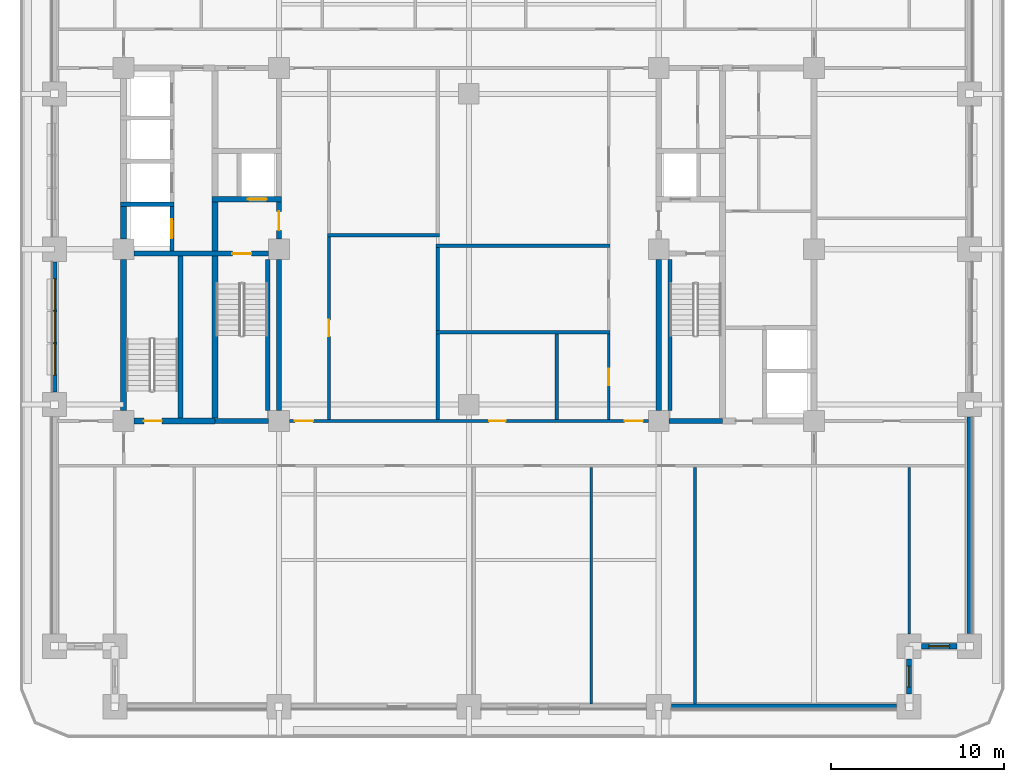
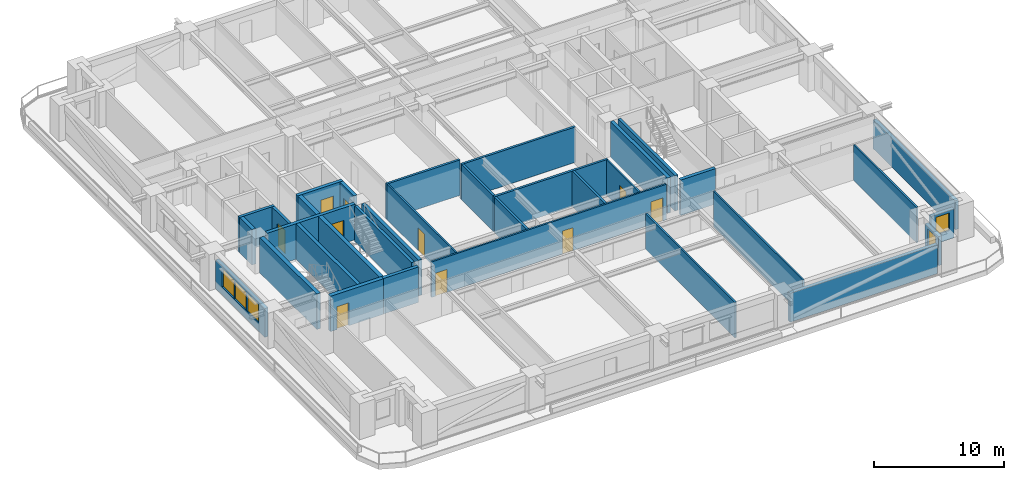
# One storey, part 3 of 15: 34 walls, 10 doors, 5 windows, 15 openings.
"""IFC4 building model written with IfcOpenShell, lengths in metres."""

from ifc_helpers import new_model, si_unit, direction, frame, frame_2d, origin, place, context, subcontext, project, spatial, rectangle, extrude, material, layer, layer_set, type_object, element, fill, save


model = new_model("IFC4")

# Units and contexts
model_context = context("Model", 3, precision=1e-05, world=origin(), true_north=direction((0.0, 1.0)))
body_context = subcontext(model_context, "Body", "Model", "MODEL_VIEW")
ifc_project = project(units=[si_unit("LENGTHUNIT", "METRE"), si_unit("AREAUNIT", "SQUARE_METRE"), si_unit("VOLUMEUNIT", "CUBIC_METRE"), si_unit("PLANEANGLEUNIT", "RADIAN"), si_unit("MASSUNIT", "GRAM", prefix="KILO")], contexts=[model_context])

# Site, building, storey
site_placement = place(None, origin())
site = spatial("IfcSite", under=ifc_project, at=site_placement, CompositionType="ELEMENT")
building_placement = place(site_placement, origin())
building = spatial("IfcBuilding", under=site, at=building_placement, Name="Zulmaris Gate Convention Tower", CompositionType="ELEMENT")
storey_placement = place(building_placement, frame((0.0, 0.0, 37.909912109375)))
storey = spatial("IfcBuildingStorey", under=building, at=storey_placement, Name="L08", CompositionType="ELEMENT", Elevation=37.909912109375)

# Wall
ifc_material_1 = material(Name="Concrete C50/60", Category="concrete")
ifc_layer_1 = layer(ifc_material_1, 0.25, Name="Concrete C50/60")
ifc_layer_set_1 = layer_set([ifc_layer_1], Name="Concrete C50/60")
wall_type_1 = type_object("IfcWallType", Name="CORE-250", PredefinedType="SOLIDWALL", material=ifc_layer_set_1)
wall_1_placement = place(storey_placement, frame((-20.175048828125, 2.60009765625, 0.0), z_axis=(0.0, 0.0, 1.0), x_axis=(1.0, 0.0, 0.0)))
element("IfcWall", 1, at=wall_1_placement, inside=storey, type_object=wall_type_1, Name="WL-L08-009", PredefinedType="SOLIDWALL", context=body_context, shape_type="SweptSolid", body=[
    extrude(rectangle(XDim=3.10009765625, YDim=0.25, at=frame_2d((1.550048828125, 0.0))), origin(), (0.0, 0.0, 1.0), 3.320068359375),
])

# Wall, opening, door
wall_2_placement = place(storey_placement, frame((-17.199951171875, -0.097900390625, 0.0), z_axis=(0.0, 0.0, 1.0), x_axis=(0.0, 1.0, 0.0)))
wall_2 = element("IfcWall", 2, at=wall_2_placement, inside=storey, type_object=wall_type_1, Name="WL-L08-040", PredefinedType="SOLIDWALL", context=body_context, shape_type="SweptSolid", body=[
    extrude(rectangle(XDim=2.57080078125, YDim=0.25, at=frame_2d((1.285400390625, 0.0))), origin(), (0.0, 0.0, 1.0), 3.320068359375),
])
opening_1_placement = place(wall_2_placement, frame((0.722900390625, 0.0, 0.0)))
opening_1 = element("IfcOpeningElement", 3, at=opening_1_placement, cuts=wall_2, Name="Opening D-06", PredefinedType="OPENING", context=body_context, shape_type="SweptSolid", body=[
    extrude(rectangle(XDim=1.10009765625, YDim=2.199951171875, at=frame_2d((0.550048828125, 1.10009765625))), frame((0.0, 0.135009765625, 0.0), z_axis=(0.0, -1.0, 0.0), x_axis=(1.0, 0.0, 0.0)), (0.0, 0.0, 1.0), 0.27001953125),
])
ifc_material_2 = material(Name="Brushed Stainless Steel", Category="steel")
door_type_1 = type_object("IfcDoorType", Name="LD-1100", OperationType="NOTDEFINED", PredefinedType="DOOR", material=ifc_material_2)
door_1_placement = place(opening_1_placement, origin())
door_1 = element("IfcDoor", 4, at=door_1_placement, inside=storey, type_object=door_type_1, Name="L08 Lift Landing Door LP-01 12", OperationType="SLIDING_TO_LEFT", OverallHeight=2.199951171875, OverallWidth=1.10009765625, PredefinedType="DOOR", context=body_context, shape_type="SweptSolid", body=[
    extrude(rectangle(XDim=1.10009765625, YDim=2.199951171875, at=frame_2d((0.550048828125, 1.10009765625))), frame((0.0, 0.02490234375, 0.0), z_axis=(0.0, -1.0, 0.0), x_axis=(1.0, 0.0, 0.0)), (0.0, 0.0, 1.0), 0.050048828125),
])
fill(opening_1, door_1)

# Walls
for number, where, z_axis, x_axis, name in (
    (5, (-11.64990234375, -9.345947265625, 0.0), (0.0, 0.0, 1.0), (0.0, 1.0, 0.0), "WL-L08-050"),
    (6, (11.64990234375, -9.345947265625, 0.0), (0.0, 0.0, 1.0), (0.0, 1.0, 0.0), "WL-L08-059"),
):
    element("IfcWall", number, at=place(storey_placement, frame(where, z_axis=z_axis, x_axis=x_axis)), inside=storey, type_object=wall_type_1, Name=name, PredefinedType="SOLIDWALL", context=body_context, shape_type="SweptSolid", body=[
        extrude(rectangle(XDim=8.741943359375, YDim=0.25, at=frame_2d((4.37109375, 0.0))), origin(), (0.0, 0.0, 1.0), 3.320068359375),
    ])
ifc_layer_2 = layer(ifc_material_1, 0.300048828125, Name="Concrete C50/60")
ifc_layer_set_2 = layer_set([ifc_layer_2], Name="Concrete C50/60")
wall_type_2 = type_object("IfcWallType", Name="CORE-300", PredefinedType="SHEAR", material=ifc_layer_set_2)
for number, where, z_axis, x_axis, name in (
    (7, (-14.699951171875, -9.949951171875, 0.0), (0.0, 0.0, 1.0), (1.0, 0.0, 0.0), "WL-L08-002"),
    (8, (11.60400390625, -9.949951171875, 0.0), (0.0, 0.0, 1.0), (1.0, 0.0, 0.0), "WL-L08-003"),
):
    element("IfcWall", number, at=place(storey_placement, frame(where, z_axis=z_axis, x_axis=x_axis)), inside=storey, type_object=wall_type_2, Name=name, PredefinedType="SHEAR", context=body_context, shape_type="SweptSolid", body=[
        extrude(rectangle(XDim=3.095947265625, YDim=0.300048828125, at=frame_2d((1.5478515625, 0.0))), origin(), (0.0, 0.0, 1.0), 3.320068359375),
    ])

# Wall, opening, door
wall_3_placement = place(storey_placement, frame((-19.39599609375, -0.25, 0.0), z_axis=(0.0, 0.0, 1.0), x_axis=(1.0, 0.0, 0.0)))
wall_3 = element("IfcWall", 9, at=wall_3_placement, inside=storey, type_object=wall_type_2, Name="WL-L08-007", PredefinedType="SHEAR", context=body_context, shape_type="SweptSolid", body=[
    extrude(rectangle(XDim=7.7919921875, YDim=0.300048828125, at=frame_2d((3.89599609375, 0.0))), origin(), (0.0, 0.0, 1.0), 3.320068359375),
])
opening_2_placement = place(wall_3_placement, frame((5.696044921875, 0.0, 0.0)))
opening_2 = element("IfcOpeningElement", 10, at=opening_2_placement, cuts=wall_3, Name="Opening D-08", PredefinedType="OPENING", context=body_context, shape_type="SweptSolid", body=[
    extrude(rectangle(XDim=1.10009765625, YDim=2.14990234375, at=frame_2d((0.550048828125, 1.074951171875))), frame((0.0, 0.16015625, 0.0), z_axis=(0.0, -1.0, 0.0), x_axis=(1.0, 0.0, 0.0)), (0.0, 0.0, 1.0), 0.320068359375),
])
ifc_material_3 = material(Name="Fire-Rated Steel", Category="steel")
door_type_2 = type_object("IfcDoorType", Name="DR-1100-FD", OperationType="NOTDEFINED", PredefinedType="DOOR", material=ifc_material_3)
door_2_placement = place(opening_2_placement, origin())
door_2 = element("IfcDoor", 11, at=door_2_placement, inside=storey, type_object=door_type_2, Name="L08 Exit Stair ST-1 Door 01", OperationType="SINGLE_SWING_LEFT", OverallHeight=2.14990234375, OverallWidth=1.10009765625, PredefinedType="DOOR", context=body_context, shape_type="SweptSolid", body=[
    extrude(rectangle(XDim=1.10009765625, YDim=2.14990234375, at=frame_2d((0.550048828125, 1.074951171875))), frame((0.0, 0.02490234375, 0.0), z_axis=(0.0, -1.0, 0.0), x_axis=(1.0, 0.0, 0.0)), (0.0, 0.0, 1.0), 0.050048828125),
])
fill(opening_2, door_2)

wall_4_placement = place(storey_placement, frame((-14.875, 2.89990234375, 0.0), z_axis=(0.0, 0.0, 1.0), x_axis=(1.0, 0.0, 0.0)))
wall_4 = element("IfcWall", 12, at=wall_4_placement, inside=storey, type_object=wall_type_2, Name="WL-L08-010", PredefinedType="SHEAR", context=body_context, shape_type="SweptSolid", body=[
    extrude(rectangle(XDim=4.02490234375, YDim=0.300048828125, at=frame_2d((2.012451171875, 0.0))), origin(), (0.0, 0.0, 1.0), 3.320068359375),
])
opening_3_placement = place(wall_4_placement, frame((2.074951171875, 0.0, 0.0)))
opening_3 = element("IfcOpeningElement", 13, at=opening_3_placement, cuts=wall_4, Name="Opening D-06", PredefinedType="OPENING", context=body_context, shape_type="SweptSolid", body=[
    extrude(rectangle(XDim=1.10009765625, YDim=2.199951171875, at=frame_2d((0.550048828125, 1.10009765625))), frame((0.0, 0.16015625, 0.0), z_axis=(0.0, -1.0, 0.0), x_axis=(1.0, 0.0, 0.0)), (0.0, 0.0, 1.0), 0.320068359375),
])
door_3_placement = place(opening_3_placement, origin())
door_3 = element("IfcDoor", 14, at=door_3_placement, inside=storey, type_object=door_type_1, Name="L08 Lift Landing Door LF-01 03", OperationType="SLIDING_TO_LEFT", OverallHeight=2.199951171875, OverallWidth=1.10009765625, PredefinedType="DOOR", context=body_context, shape_type="SweptSolid", body=[
    extrude(rectangle(XDim=1.10009765625, YDim=2.199951171875, at=frame_2d((0.550048828125, 1.10009765625))), frame((0.0, 0.02490234375, 0.0), z_axis=(0.0, -1.0, 0.0), x_axis=(1.0, 0.0, 0.0)), (0.0, 0.0, 1.0), 0.050048828125),
])
fill(opening_3, door_3)

# Walls
wall_5_placement = place(storey_placement, frame((-16.699951171875, -9.77294921875, 0.0), z_axis=(0.0, 0.0, 1.0), x_axis=(0.0, 1.0, 0.0)))
element("IfcWall", 15, at=wall_5_placement, inside=storey, type_object=wall_type_2, Name="WL-L08-044", PredefinedType="SHEAR", context=body_context, shape_type="SweptSolid", body=[
    extrude(rectangle(XDim=9.370849609375, YDim=0.300048828125, at=frame_2d((4.685546875, 0.0))), origin(), (0.0, 0.0, 1.0), 3.320068359375),
])
wall_6_placement = place(storey_placement, frame((-11.0, -9.345947265625, 0.0), z_axis=(0.0, 0.0, 1.0), x_axis=(0.0, 1.0, 0.0)))
element("IfcWall", 16, at=wall_6_placement, inside=storey, type_object=wall_type_2, Name="WL-L08-051", PredefinedType="SHEAR", context=body_context, shape_type="SweptSolid", body=[
    extrude(rectangle(XDim=8.741943359375, YDim=0.300048828125, at=frame_2d((4.37109375, 0.0))), origin(), (0.0, 0.0, 1.0), 3.320068359375),
])

# Wall, opening, door
wall_7_placement = place(storey_placement, frame((-11.0, 0.60400390625, 0.0), z_axis=(0.0, 0.0, 1.0), x_axis=(0.0, 1.0, 0.0)))
wall_7 = element("IfcWall", 17, at=wall_7_placement, inside=storey, type_object=wall_type_2, Name="WL-L08-052", PredefinedType="SHEAR", context=body_context, shape_type="SweptSolid", body=[
    extrude(rectangle(XDim=2.14404296875, YDim=0.300048828125, at=frame_2d((1.072021484375, 0.0))), origin(), (0.0, 0.0, 1.0), 3.320068359375),
])
opening_4_placement = place(wall_7_placement, frame((0.49609375, 0.0, 0.0)))
opening_4 = element("IfcOpeningElement", 18, at=opening_4_placement, cuts=wall_7, Name="Opening D-08", PredefinedType="OPENING", context=body_context, shape_type="SweptSolid", body=[
    extrude(rectangle(XDim=1.10009765625, YDim=2.14990234375, at=frame_2d((0.550048828125, 1.074951171875))), frame((0.0, 0.16015625, 0.0), z_axis=(0.0, -1.0, 0.0), x_axis=(1.0, 0.0, 0.0)), (0.0, 0.0, 1.0), 0.320068359375),
])
door_4_placement = place(opening_4_placement, origin())
door_4 = element("IfcDoor", 19, at=door_4_placement, inside=storey, type_object=door_type_2, Name="L08 West Firefighting Lobby Door 02", OperationType="SINGLE_SWING_RIGHT", OverallHeight=2.14990234375, OverallWidth=1.10009765625, PredefinedType="DOOR", context=body_context, shape_type="SweptSolid", body=[
    extrude(rectangle(XDim=1.10009765625, YDim=2.14990234375, at=frame_2d((0.550048828125, 1.074951171875))), frame((0.0, 0.02490234375, 0.0), z_axis=(0.0, -1.0, 0.0), x_axis=(1.0, 0.0, 0.0)), (0.0, 0.0, 1.0), 0.050048828125),
])
fill(opening_4, door_4)

# Wall
wall_8_placement = place(storey_placement, frame((11.0, -9.345947265625, 0.0), z_axis=(0.0, 0.0, 1.0), x_axis=(0.0, 1.0, 0.0)))
element("IfcWall", 20, at=wall_8_placement, inside=storey, type_object=wall_type_2, Name="WL-L08-055", PredefinedType="SHEAR", context=body_context, shape_type="SweptSolid", body=[
    extrude(rectangle(XDim=8.741943359375, YDim=0.300048828125, at=frame_2d((4.37109375, 0.0))), origin(), (0.0, 0.0, 1.0), 3.320068359375),
])

# Wall, opening, door
ifc_material_4 = material(Name="Concrete C55/67", Category="concrete")
ifc_layer_3 = layer(ifc_material_4, 0.35009765625, Name="Concrete C55/67")
ifc_layer_set_3 = layer_set([ifc_layer_3], Name="Concrete C55/67")
wall_type_3 = type_object("IfcWallType", Name="CORE-350", PredefinedType="SHEAR", material=ifc_layer_set_3)
wall_9_placement = place(storey_placement, frame((-19.39599609375, -9.949951171875, 0.0), z_axis=(0.0, 0.0, 1.0), x_axis=(1.0, 0.0, 0.0)))
wall_9 = element("IfcWall", 21, at=wall_9_placement, inside=storey, type_object=wall_type_3, Name="WL-L08-001", PredefinedType="SHEAR", context=body_context, shape_type="SweptSolid", body=[
    extrude(rectangle(XDim=4.696044921875, YDim=0.35009765625, at=frame_2d((2.34814453125, 0.0))), origin(), (0.0, 0.0, 1.0), 3.320068359375),
])
opening_5_placement = place(wall_9_placement, frame((0.571044921875, 0.0, 0.0)))
opening_5 = element("IfcOpeningElement", 22, at=opening_5_placement, cuts=wall_9, Name="Opening D-09", PredefinedType="OPENING", context=body_context, shape_type="SweptSolid", body=[
    extrude(rectangle(XDim=1.050048828125, YDim=2.14990234375, at=frame_2d((0.52490234375, 1.074951171875))), frame((0.0, 0.18505859375, 0.0), z_axis=(0.0, -1.0, 0.0), x_axis=(1.0, 0.0, 0.0)), (0.0, 0.0, 1.0), 0.3701171875),
])
door_type_3 = type_object("IfcDoorType", Name="DR-1050-FD", OperationType="NOTDEFINED", PredefinedType="DOOR", material=ifc_material_3)
door_5_placement = place(opening_5_placement, origin())
door_5 = element("IfcDoor", 23, at=door_5_placement, inside=storey, type_object=door_type_3, Name="L08 Exit Stair ST-3 Door 10", OperationType="SINGLE_SWING_RIGHT", OverallHeight=2.14990234375, OverallWidth=1.050048828125, PredefinedType="DOOR", context=body_context, shape_type="SweptSolid", body=[
    extrude(rectangle(XDim=1.050048828125, YDim=2.14990234375, at=frame_2d((0.52490234375, 1.074951171875))), frame((0.0, 0.02490234375, 0.0), z_axis=(0.0, -1.0, 0.0), x_axis=(1.0, 0.0, 0.0)), (0.0, 0.0, 1.0), 0.050048828125),
])
fill(opening_5, door_5)

# Walls
wall_10_placement = place(storey_placement, frame((-20.0, -9.345947265625, 0.0), z_axis=(0.0, 0.0, 1.0), x_axis=(0.0, 1.0, 0.0)))
element("IfcWall", 24, at=wall_10_placement, inside=storey, type_object=wall_type_3, Name="WL-L08-035", PredefinedType="SHEAR", context=body_context, shape_type="SweptSolid", body=[
    extrude(rectangle(XDim=8.741943359375, YDim=0.35009765625, at=frame_2d((4.37109375, 0.0))), origin(), (0.0, 0.0, 1.0), 3.320068359375),
])
wall_11_placement = place(storey_placement, frame((-20.0, 0.60400390625, 0.0), z_axis=(0.0, 0.0, 1.0), x_axis=(0.0, 1.0, 0.0)))
element("IfcWall", 25, at=wall_11_placement, inside=storey, type_object=wall_type_3, Name="WL-L08-036", PredefinedType="SHEAR", context=body_context, shape_type="SweptSolid", body=[
    extrude(rectangle(XDim=1.868896484375, YDim=0.35009765625, at=frame_2d((0.9345703125, 0.0))), origin(), (0.0, 0.0, 1.0), 3.320068359375),
])
wall_12_placement = place(storey_placement, frame((-14.699951171875, -9.77294921875, 0.0), z_axis=(0.0, 0.0, 1.0), x_axis=(0.0, 1.0, 0.0)))
element("IfcWall", 26, at=wall_12_placement, inside=storey, type_object=wall_type_3, Name="WL-L08-045", PredefinedType="SHEAR", context=body_context, shape_type="SweptSolid", body=[
    extrude(rectangle(XDim=9.370849609375, YDim=0.35009765625, at=frame_2d((4.685546875, 0.0))), origin(), (0.0, 0.0, 1.0), 3.320068359375),
])
wall_13_placement = place(storey_placement, frame((-14.699951171875, -0.097900390625, 0.0), z_axis=(0.0, 0.0, 1.0), x_axis=(0.0, 1.0, 0.0)))
element("IfcWall", 27, at=wall_13_placement, inside=storey, type_object=wall_type_3, Name="WL-L08-046", PredefinedType="SHEAR", context=body_context, shape_type="SweptSolid", body=[
    extrude(rectangle(XDim=2.845947265625, YDim=0.35009765625, at=frame_2d((1.4228515625, 0.0))), origin(), (0.0, 0.0, 1.0), 3.320068359375),
])

# Wall, openings, doors
ifc_material_5 = material(Name="Gypsum Metal Stud Partition")
ifc_layer_4 = layer(ifc_material_5, 0.14990234375, Name="Gypsum Metal Stud Partition")
ifc_layer_set_4 = layer_set([ifc_layer_4], Name="Gypsum Metal Stud Partition")
wall_type_4 = type_object("IfcWallType", Name="PART-150", PredefinedType="PARTITIONING", material=ifc_layer_set_4)
wall_14_placement = place(storey_placement, frame((-10.39404296875, -9.949951171875, 0.0), z_axis=(0.0, 0.0, 1.0), x_axis=(1.0, 0.0, 0.0)))
wall_14 = element("IfcWall", 28, at=wall_14_placement, inside=storey, type_object=wall_type_4, Name="WL-L08-022", PredefinedType="PARTITIONING", context=body_context, shape_type="SweptSolid", body=[
    extrude(rectangle(XDim=20.7880859375, YDim=0.14990234375, at=frame_2d((10.39404296875, 0.0))), origin(), (0.0, 0.0, 1.0), 3.320068359375),
])
opening_6_placement = place(wall_14_placement, frame((0.319091796875, 0.0, 0.0)))
opening_6 = element("IfcOpeningElement", 29, at=opening_6_placement, cuts=wall_14, Name="Opening D-09", PredefinedType="OPENING", context=body_context, shape_type="SweptSolid", body=[
    extrude(rectangle(XDim=1.050048828125, YDim=2.14990234375, at=frame_2d((0.52490234375, 1.074951171875))), frame((0.0, 0.0849609375, 0.0), z_axis=(0.0, -1.0, 0.0), x_axis=(1.0, 0.0, 0.0)), (0.0, 0.0, 1.0), 0.169921875),
])
opening_7_placement = place(wall_14_placement, frame((19.4189453125, 0.0, 0.0)))
opening_7 = element("IfcOpeningElement", 30, at=opening_7_placement, cuts=wall_14, Name="Opening D-09", PredefinedType="OPENING", context=body_context, shape_type="SweptSolid", body=[
    extrude(rectangle(XDim=1.050048828125, YDim=2.14990234375, at=frame_2d((0.52490234375, 1.074951171875))), frame((0.0, 0.0849609375, 0.0), z_axis=(0.0, -1.0, 0.0), x_axis=(1.0, 0.0, 0.0)), (0.0, 0.0, 1.0), 0.169921875),
])
opening_8_placement = place(wall_14_placement, frame((11.569091796875, 0.0, 0.0)))
opening_8 = element("IfcOpeningElement", 31, at=opening_8_placement, cuts=wall_14, Name="Opening D-11", PredefinedType="OPENING", context=body_context, shape_type="SweptSolid", body=[
    extrude(rectangle(XDim=0.949951171875, YDim=2.14990234375, at=frame_2d((0.47509765625, 1.074951171875))), frame((0.0, 0.0849609375, 0.0), z_axis=(0.0, -1.0, 0.0), x_axis=(1.0, 0.0, 0.0)), (0.0, 0.0, 1.0), 0.169921875),
])
door_6_placement = place(opening_6_placement, origin())
door_6 = element("IfcDoor", 32, at=door_6_placement, inside=storey, type_object=door_type_3, Name="L08 SW Spine Link Door 23", OperationType="SINGLE_SWING_LEFT", OverallHeight=2.14990234375, OverallWidth=1.050048828125, PredefinedType="DOOR", context=body_context, shape_type="SweptSolid", body=[
    extrude(rectangle(XDim=1.050048828125, YDim=2.14990234375, at=frame_2d((0.52490234375, 1.074951171875))), frame((0.0, 0.02490234375, 0.0), z_axis=(0.0, -1.0, 0.0), x_axis=(1.0, 0.0, 0.0)), (0.0, 0.0, 1.0), 0.050048828125),
])
fill(opening_6, door_6)
door_7_placement = place(opening_7_placement, origin())
door_7 = element("IfcDoor", 33, at=door_7_placement, inside=storey, type_object=door_type_3, Name="L08 SE Spine Link Door 25", OperationType="SINGLE_SWING_LEFT", OverallHeight=2.14990234375, OverallWidth=1.050048828125, PredefinedType="DOOR", context=body_context, shape_type="SweptSolid", body=[
    extrude(rectangle(XDim=1.050048828125, YDim=2.14990234375, at=frame_2d((0.52490234375, 1.074951171875))), frame((0.0, 0.02490234375, 0.0), z_axis=(0.0, -1.0, 0.0), x_axis=(1.0, 0.0, 0.0)), (0.0, 0.0, 1.0), 0.050048828125),
])
fill(opening_7, door_7)
ifc_material_6 = material(Name="Fire-Rated Timber", Category="wood")
door_type_4 = type_object("IfcDoorType", Name="DR-950-FD", OperationType="NOTDEFINED", PredefinedType="DOOR", material=ifc_material_6)
door_8_placement = place(opening_8_placement, origin())
door_8 = element("IfcDoor", 34, at=door_8_placement, inside=storey, type_object=door_type_4, Name="L08 Print Room Door 43", OperationType="SINGLE_SWING_LEFT", OverallHeight=2.14990234375, OverallWidth=0.949951171875, PredefinedType="DOOR", context=body_context, shape_type="SweptSolid", body=[
    extrude(rectangle(XDim=0.949951171875, YDim=2.14990234375, at=frame_2d((0.47509765625, 1.074951171875))), frame((0.0, 0.02490234375, 0.0), z_axis=(0.0, -1.0, 0.0), x_axis=(1.0, 0.0, 0.0)), (0.0, 0.0, 1.0), 0.050048828125),
])
fill(opening_8, door_8)

# Wall, opening, door
wall_15_placement = place(storey_placement, frame((-8.10009765625, -9.8720703125, 0.0), z_axis=(0.0, 0.0, 1.0), x_axis=(0.0, 1.0, 0.0)))
wall_15 = element("IfcWall", 35, at=wall_15_placement, inside=storey, type_object=wall_type_4, Name="WL-L08-078", PredefinedType="PARTITIONING", context=body_context, shape_type="SweptSolid", body=[
    extrude(rectangle(XDim=10.569091796875, YDim=0.14990234375, at=frame_2d((5.28466796875, 0.0))), origin(), (0.0, 0.0, 1.0), 3.320068359375),
])
opening_9_placement = place(wall_15_placement, frame((4.826904296875, 0.0, 0.0)))
opening_9 = element("IfcOpeningElement", 36, at=opening_9_placement, cuts=wall_15, Name="Opening D-11", PredefinedType="OPENING", context=body_context, shape_type="SweptSolid", body=[
    extrude(rectangle(XDim=0.949951171875, YDim=2.14990234375, at=frame_2d((0.47509765625, 1.074951171875))), frame((0.0, 0.0849609375, 0.0), z_axis=(0.0, -1.0, 0.0), x_axis=(1.0, 0.0, 0.0)), (0.0, 0.0, 1.0), 0.169921875),
])
door_9_placement = place(opening_9_placement, origin())
door_9 = element("IfcDoor", 37, at=door_9_placement, inside=storey, type_object=door_type_4, Name="L08 Wellness Pantry Door 39", OperationType="SINGLE_SWING_LEFT", OverallHeight=2.14990234375, OverallWidth=0.949951171875, PredefinedType="DOOR", context=body_context, shape_type="SweptSolid", body=[
    extrude(rectangle(XDim=0.949951171875, YDim=2.14990234375, at=frame_2d((0.47509765625, 1.074951171875))), frame((0.0, 0.02490234375, 0.0), z_axis=(0.0, -1.0, 0.0), x_axis=(1.0, 0.0, 0.0)), (0.0, 0.0, 1.0), 0.050048828125),
])
fill(opening_9, door_9)

# Wall
wall_16_placement = place(storey_placement, frame((7.10009765625, -26.3349609375, 0.0), z_axis=(0.0, 0.0, 1.0), x_axis=(0.0, 1.0, 0.0)))
element("IfcWall", 38, at=wall_16_placement, inside=storey, type_object=wall_type_4, Name="WL-L08-088", PredefinedType="PARTITIONING", context=body_context, shape_type="SweptSolid", body=[
    extrude(rectangle(XDim=13.70703125, YDim=0.14990234375, at=frame_2d((6.853515625, 0.0))), origin(), (0.0, 0.0, 1.0), 3.320068359375),
])

# Wall, opening, door
wall_17_placement = place(storey_placement, frame((8.10009765625, -9.8720703125, 0.0), z_axis=(0.0, 0.0, 1.0), x_axis=(0.0, 1.0, 0.0)))
wall_17 = element("IfcWall", 39, at=wall_17_placement, inside=storey, type_object=wall_type_4, Name="WL-L08-089", PredefinedType="PARTITIONING", context=body_context, shape_type="SweptSolid", body=[
    extrude(rectangle(XDim=4.968994140625, YDim=0.14990234375, at=frame_2d((2.484375, 0.0))), origin(), (0.0, 0.0, 1.0), 3.320068359375),
])
opening_10_placement = place(wall_17_placement, frame((1.9970703125, 0.0, 0.0)))
opening_10 = element("IfcOpeningElement", 40, at=opening_10_placement, cuts=wall_17, Name="Opening D-11", PredefinedType="OPENING", context=body_context, shape_type="SweptSolid", body=[
    extrude(rectangle(XDim=0.949951171875, YDim=2.14990234375, at=frame_2d((0.47509765625, 1.074951171875))), frame((0.0, 0.0849609375, 0.0), z_axis=(0.0, -1.0, 0.0), x_axis=(1.0, 0.0, 0.0)), (0.0, 0.0, 1.0), 0.169921875),
])
door_10_placement = place(opening_10_placement, origin())
door_10 = element("IfcDoor", 41, at=door_10_placement, inside=storey, type_object=door_type_4, Name="L08 Accessible WC Door 42", OperationType="SINGLE_SWING_RIGHT", OverallHeight=2.14990234375, OverallWidth=0.949951171875, PredefinedType="DOOR", context=body_context, shape_type="SweptSolid", body=[
    extrude(rectangle(XDim=0.949951171875, YDim=2.14990234375, at=frame_2d((0.47509765625, 1.074951171875))), frame((0.0, 0.02490234375, 0.0), z_axis=(0.0, -1.0, 0.0), x_axis=(1.0, 0.0, 0.0)), (0.0, 0.0, 1.0), 0.050048828125),
])
fill(opening_10, door_10)

# Walls
wall_18_placement = place(storey_placement, frame((13.10009765625, -26.3349609375, 0.0), z_axis=(0.0, 0.0, 1.0), x_axis=(0.0, 1.0, 0.0)))
element("IfcWall", 42, at=wall_18_placement, inside=storey, type_object=wall_type_4, Name="WL-L08-093", PredefinedType="PARTITIONING", context=body_context, shape_type="SweptSolid", body=[
    extrude(rectangle(XDim=13.70703125, YDim=0.14990234375, at=frame_2d((6.853515625, 0.0))), origin(), (0.0, 0.0, 1.0), 3.320068359375),
])
wall_19_placement = place(storey_placement, frame((25.5, -22.2939453125, 0.0), z_axis=(0.0, 0.0, 1.0), x_axis=(0.0, 1.0, 0.0)))
element("IfcWall", 43, at=wall_19_placement, inside=storey, type_object=wall_type_4, Name="WL-L08-099", PredefinedType="PARTITIONING", context=body_context, shape_type="SweptSolid", body=[
    extrude(rectangle(XDim=9.666015625, YDim=0.14990234375, at=frame_2d((4.8330078125, 0.0))), origin(), (0.0, 0.0, 1.0), 3.320068359375),
])
ifc_material_7 = material(Name="Autoclaved Aerated Concrete Block and Plasterboard", Category="concrete")
ifc_layer_5 = layer(ifc_material_7, 0.199951171875, Name="Autoclaved Aerated Concrete Block and Plasterboard")
ifc_layer_set_5 = layer_set([ifc_layer_5], Name="Autoclaved Aerated Concrete Block and Plasterboard")
wall_type_5 = type_object("IfcWallType", Name="PART-200", PredefinedType="PARTITIONING", material=ifc_layer_set_5)
for number, where, z_axis, x_axis, name in (
    (44, (-1.89990234375, -4.800048828125, 0.0), (0.0, 0.0, 1.0), (1.0, 0.0, 0.0), "WL-L08-024"),
    (45, (-1.89990234375, 0.199951171875, 0.0), (0.0, 0.0, 1.0), (1.0, 0.0, 0.0), "WL-L08-026"),
):
    element("IfcWall", number, at=place(storey_placement, frame(where, z_axis=z_axis, x_axis=x_axis)), inside=storey, type_object=wall_type_5, Name=name, PredefinedType="PARTITIONING", context=body_context, shape_type="SweptSolid", body=[
        extrude(rectangle(XDim=10.074951171875, YDim=0.199951171875, at=frame_2d((5.03759765625, 0.0))), origin(), (0.0, 0.0, 1.0), 3.320068359375),
    ])
wall_20_placement = place(storey_placement, frame((-8.175048828125, 0.800048828125, 0.0), z_axis=(0.0, 0.0, 1.0), x_axis=(1.0, 0.0, 0.0)))
element("IfcWall", 46, at=wall_20_placement, inside=storey, type_object=wall_type_5, Name="WL-L08-027", PredefinedType="PARTITIONING", context=body_context, shape_type="SweptSolid", body=[
    extrude(rectangle(XDim=6.47509765625, YDim=0.199951171875, at=frame_2d((3.237548828125, 0.0))), origin(), (0.0, 0.0, 1.0), 3.320068359375),
])
wall_21_placement = place(storey_placement, frame((-1.800048828125, -9.8720703125, 0.0), z_axis=(0.0, 0.0, 1.0), x_axis=(0.0, 1.0, 0.0)))
element("IfcWall", 47, at=wall_21_placement, inside=storey, type_object=wall_type_5, Name="WL-L08-081", PredefinedType="PARTITIONING", context=body_context, shape_type="SweptSolid", body=[
    extrude(rectangle(XDim=4.968994140625, YDim=0.199951171875, at=frame_2d((2.484375, 0.0))), origin(), (0.0, 0.0, 1.0), 3.320068359375),
])
wall_22_placement = place(storey_placement, frame((-1.800048828125, -4.697021484375, 0.0), z_axis=(0.0, 0.0, 1.0), x_axis=(0.0, 1.0, 0.0)))
element("IfcWall", 48, at=wall_22_placement, inside=storey, type_object=wall_type_5, Name="WL-L08-082", PredefinedType="PARTITIONING", context=body_context, shape_type="SweptSolid", body=[
    extrude(rectangle(XDim=4.7939453125, YDim=0.199951171875, at=frame_2d((2.39697265625, 0.0))), origin(), (0.0, 0.0, 1.0), 3.320068359375),
])
wall_23_placement = place(storey_placement, frame((5.10009765625, -9.8720703125, 0.0), z_axis=(0.0, 0.0, 1.0), x_axis=(0.0, 1.0, 0.0)))
element("IfcWall", 49, at=wall_23_placement, inside=storey, type_object=wall_type_5, Name="WL-L08-087", PredefinedType="PARTITIONING", context=body_context, shape_type="SweptSolid", body=[
    extrude(rectangle(XDim=4.968994140625, YDim=0.199951171875, at=frame_2d((2.484375, 0.0))), origin(), (0.0, 0.0, 1.0), 3.320068359375),
])

# Wall, opening, window
ifc_material_8 = material(Name="Precast concrete C40/50", Category="concrete")
ifc_layer_6 = layer(ifc_material_8, 0.300048828125, Name="Precast concrete C40/50")
ifc_layer_set_6 = layer_set([ifc_layer_6], Name="Precast concrete C40/50")
wall_type_6 = type_object("IfcWallType", Name="PRECAST-PIER-300", PredefinedType="STANDARD", material=ifc_layer_set_6)
wall_24_placement = place(storey_placement, frame((25.5, -25.77001953125, 0.0), z_axis=(0.0, 0.0, 1.0), x_axis=(0.0, 1.0, 0.0)))
wall_24 = element("IfcWall", 50, at=wall_24_placement, inside=storey, type_object=wall_type_6, Name="EW-L08-NOTCH-SE1_0", PredefinedType="STANDARD", context=body_context, shape_type="SweptSolid", body=[
    extrude(rectangle(XDim=2.0400390625, YDim=0.300048828125, at=frame_2d((1.02001953125, 0.0))), origin(), (0.0, 0.0, 1.0), 2.712158203125),
])
opening_11_placement = place(wall_24_placement, frame((0.419921875, 0.0, 0.820068359375)))
opening_11 = element("IfcOpeningElement", 51, at=opening_11_placement, cuts=wall_24, Name="Opening W-04", PredefinedType="OPENING", context=body_context, shape_type="SweptSolid", body=[
    extrude(rectangle(XDim=1.199951171875, YDim=1.64990234375, at=frame_2d((0.60009765625, 0.824951171875))), frame((0.0, 0.16015625, 0.0), z_axis=(0.0, -1.0, 0.0), x_axis=(1.0, 0.0, 0.0)), (0.0, 0.0, 1.0), 0.320068359375),
])
ifc_material_9 = material(Name="Low-E Laminated Double Glazing in Aluminium Frame", Category="aluminium")
window_type_1 = type_object("IfcWindowType", Name="WIN-1200x2100", PartitioningType="SINGLE_PANEL", PredefinedType="WINDOW", material=ifc_material_9)
window_1_placement = place(opening_11_placement, origin())
window_1 = element("IfcWindow", 52, at=window_1_placement, inside=storey, type_object=window_type_1, Name="WN-EW-L08-NOTCH-SE1_0", OverallHeight=1.64990234375, OverallWidth=1.199951171875, PartitioningType="SINGLE_PANEL", PredefinedType="WINDOW", context=body_context, shape_type="SweptSolid", body=[
    extrude(rectangle(XDim=1.199951171875, YDim=1.64990234375, at=frame_2d((0.60009765625, 0.824951171875))), frame((0.0, 0.030029296875, 0.0), z_axis=(0.0, -1.0, 0.0), x_axis=(1.0, 0.0, 0.0)), (0.0, 0.0, 1.0), 0.06005859375),
])
fill(opening_11, window_1)

wall_25_placement = place(storey_placement, frame((26.22998046875, -23.0, 0.0), z_axis=(0.0, 0.0, 1.0), x_axis=(1.0, 0.0, 0.0)))
wall_25 = element("IfcWall", 53, at=wall_25_placement, inside=storey, type_object=wall_type_6, Name="EW-L08-NOTCH-SE2_0", PredefinedType="STANDARD", context=body_context, shape_type="SweptSolid", body=[
    extrude(rectangle(XDim=2.0400390625, YDim=0.300048828125, at=frame_2d((1.02001953125, 0.0))), origin(), (0.0, 0.0, 1.0), 2.712158203125),
])
opening_12_placement = place(wall_25_placement, frame((0.419921875, 0.0, 0.820068359375)))
opening_12 = element("IfcOpeningElement", 54, at=opening_12_placement, cuts=wall_25, Name="Opening W-04", PredefinedType="OPENING", context=body_context, shape_type="SweptSolid", body=[
    extrude(rectangle(XDim=1.199951171875, YDim=1.64990234375, at=frame_2d((0.60009765625, 0.824951171875))), frame((0.0, 0.16015625, 0.0), z_axis=(0.0, -1.0, 0.0), x_axis=(1.0, 0.0, 0.0)), (0.0, 0.0, 1.0), 0.320068359375),
])
window_2_placement = place(opening_12_placement, origin())
window_2 = element("IfcWindow", 55, at=window_2_placement, inside=storey, type_object=window_type_1, Name="WN-EW-L08-NOTCH-SE2_0", OverallHeight=1.64990234375, OverallWidth=1.199951171875, PartitioningType="SINGLE_PANEL", PredefinedType="WINDOW", context=body_context, shape_type="SweptSolid", body=[
    extrude(rectangle(XDim=1.199951171875, YDim=1.64990234375, at=frame_2d((0.60009765625, 0.824951171875))), frame((0.0, 0.030029296875, 0.0), z_axis=(0.0, -1.0, 0.0), x_axis=(1.0, 0.0, 0.0)), (0.0, 0.0, 1.0), 0.06005859375),
])
fill(opening_12, window_2)

# Walls
wall_26_placement = place(storey_placement, frame((11.72998046875, -26.5, 0.0), z_axis=(0.0, 0.0, 1.0), x_axis=(1.0, 0.0, 0.0)))
element("IfcWall", 56, at=wall_26_placement, inside=storey, type_object=wall_type_6, Name="EW-L08-S-3_0", PredefinedType="STANDARD", context=body_context, shape_type="SweptSolid", body=[
    extrude(rectangle(XDim=13.0400390625, YDim=0.300048828125, at=frame_2d((6.52001953125, 0.0))), origin(), (0.0, 0.0, 1.0), 2.712158203125),
])
wall_27_placement = place(storey_placement, frame((29.0, -22.27001953125, 0.0), z_axis=(0.0, 0.0, 1.0), x_axis=(0.0, 1.0, 0.0)))
element("IfcWall", 57, at=wall_27_placement, inside=storey, type_object=wall_type_6, Name="EW-L08-E-0_0", PredefinedType="STANDARD", context=body_context, shape_type="SweptSolid", body=[
    extrude(rectangle(XDim=12.5400390625, YDim=0.300048828125, at=frame_2d((6.27001953125, 0.0))), origin(), (0.0, 0.0, 1.0), 2.712158203125),
])

# Wall, openings, windows
wall_28_placement = place(storey_placement, frame((-24.0, -0.72998046875, 0.0), z_axis=(0.0, 0.0, 1.0), x_axis=(0.0, -1.0, 0.0)))
wall_28 = element("IfcWall", 58, at=wall_28_placement, inside=storey, type_object=wall_type_6, Name="EW-L08-W-1_0", PredefinedType="STANDARD", context=body_context, shape_type="SweptSolid", body=[
    extrude(rectangle(XDim=7.5400390625, YDim=0.300048828125, at=frame_2d((3.77001953125, 0.0))), origin(), (0.0, 0.0, 1.0), 2.712158203125),
])
opening_13_placement = place(wall_28_placement, frame((0.985107421875, 0.0, 0.780029296875)))
opening_13 = element("IfcOpeningElement", 59, at=opening_13_placement, cuts=wall_28, Name="Opening W-02", PredefinedType="OPENING", context=body_context, shape_type="SweptSolid", body=[
    extrude(rectangle(XDim=1.800048828125, YDim=1.719970703125, at=frame_2d((0.89990234375, 0.85986328125))), frame((0.0, 0.16015625, 0.0), z_axis=(0.0, -1.0, 0.0), x_axis=(1.0, 0.0, 0.0)), (0.0, 0.0, 1.0), 0.320068359375),
])
opening_14_placement = place(wall_28_placement, frame((2.8701171875, 0.0, 0.780029296875)))
opening_14 = element("IfcOpeningElement", 60, at=opening_14_placement, cuts=wall_28, Name="Opening W-02", PredefinedType="OPENING", context=body_context, shape_type="SweptSolid", body=[
    extrude(rectangle(XDim=1.800048828125, YDim=1.719970703125, at=frame_2d((0.89990234375, 0.85986328125))), frame((0.0, 0.16015625, 0.0), z_axis=(0.0, -1.0, 0.0), x_axis=(1.0, 0.0, 0.0)), (0.0, 0.0, 1.0), 0.320068359375),
])
opening_15_placement = place(wall_28_placement, frame((4.7548828125, 0.0, 0.780029296875)))
opening_15 = element("IfcOpeningElement", 61, at=opening_15_placement, cuts=wall_28, Name="Opening W-02", PredefinedType="OPENING", context=body_context, shape_type="SweptSolid", body=[
    extrude(rectangle(XDim=1.800048828125, YDim=1.719970703125, at=frame_2d((0.89990234375, 0.85986328125))), frame((0.0, 0.16015625, 0.0), z_axis=(0.0, -1.0, 0.0), x_axis=(1.0, 0.0, 0.0)), (0.0, 0.0, 1.0), 0.320068359375),
])
window_type_2 = type_object("IfcWindowType", Name="WIN-1800x2200", PartitioningType="SINGLE_PANEL", PredefinedType="WINDOW", material=ifc_material_9)
window_3_placement = place(opening_13_placement, origin())
window_3 = element("IfcWindow", 62, at=window_3_placement, inside=storey, type_object=window_type_2, Name="WN-EW-L08-W-1_0-1", OverallHeight=1.719970703125, OverallWidth=1.800048828125, PartitioningType="SINGLE_PANEL", PredefinedType="WINDOW", context=body_context, shape_type="SweptSolid", body=[
    extrude(rectangle(XDim=1.800048828125, YDim=1.719970703125, at=frame_2d((0.89990234375, 0.85986328125))), frame((0.0, 0.030029296875, 0.0), z_axis=(0.0, -1.0, 0.0), x_axis=(1.0, 0.0, 0.0)), (0.0, 0.0, 1.0), 0.06005859375),
])
fill(opening_13, window_3)
window_4_placement = place(opening_14_placement, origin())
window_4 = element("IfcWindow", 63, at=window_4_placement, inside=storey, type_object=window_type_2, Name="WN-EW-L08-W-1_0-2", OverallHeight=1.719970703125, OverallWidth=1.800048828125, PartitioningType="SINGLE_PANEL", PredefinedType="WINDOW", context=body_context, shape_type="SweptSolid", body=[
    extrude(rectangle(XDim=1.800048828125, YDim=1.719970703125, at=frame_2d((0.89990234375, 0.85986328125))), frame((0.0, 0.030029296875, 0.0), z_axis=(0.0, -1.0, 0.0), x_axis=(1.0, 0.0, 0.0)), (0.0, 0.0, 1.0), 0.06005859375),
])
fill(opening_14, window_4)
window_5_placement = place(opening_15_placement, origin())
window_5 = element("IfcWindow", 64, at=window_5_placement, inside=storey, type_object=window_type_2, Name="WN-EW-L08-W-1_0-3", OverallHeight=1.719970703125, OverallWidth=1.800048828125, PartitioningType="SINGLE_PANEL", PredefinedType="WINDOW", context=body_context, shape_type="SweptSolid", body=[
    extrude(rectangle(XDim=1.800048828125, YDim=1.719970703125, at=frame_2d((0.89990234375, 0.85986328125))), frame((0.0, 0.030029296875, 0.0), z_axis=(0.0, -1.0, 0.0), x_axis=(1.0, 0.0, 0.0)), (0.0, 0.0, 1.0), 0.06005859375),
])
fill(opening_15, window_5)

save(model, "model.ifc")
